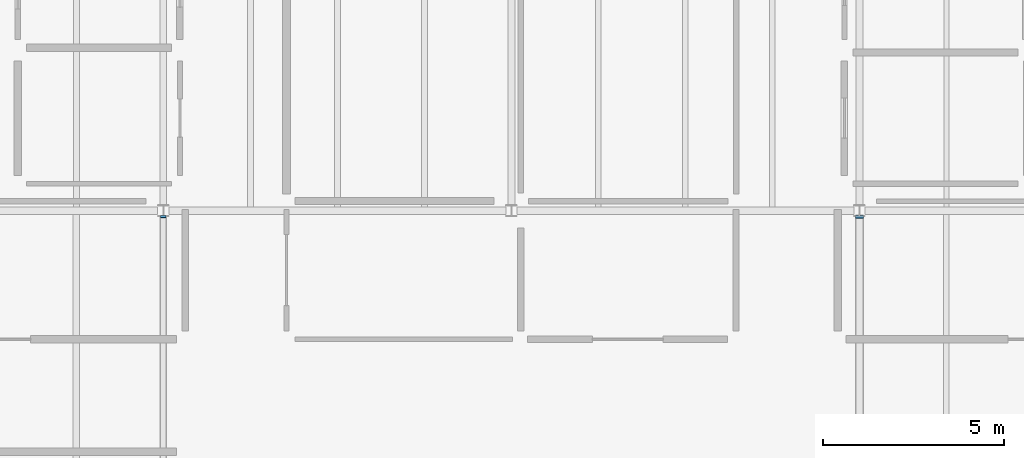
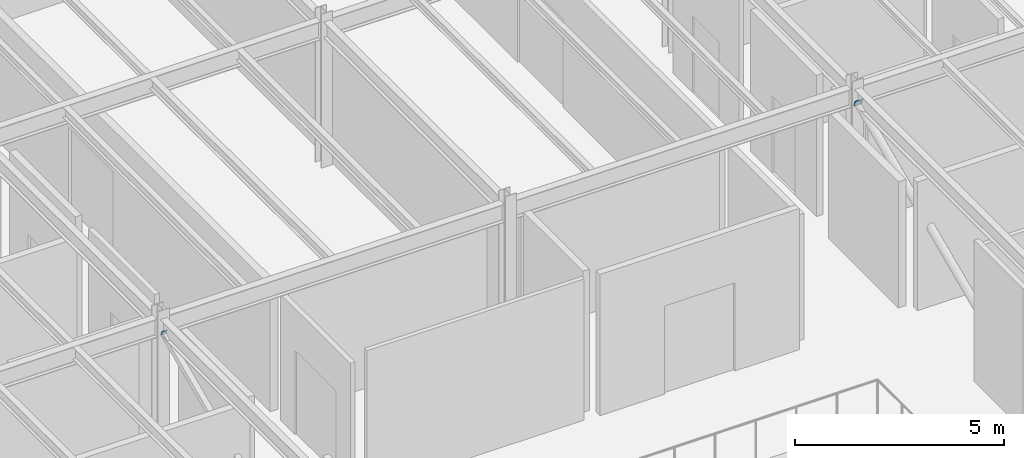
# One storey, part 47 of 69: 2 plates.
"""IFC4 building model written with IfcOpenShell, lengths in metres."""

from ifc_helpers import new_model, si_unit, direction, frame, origin, origin_2d, place, context, subcontext, project, spatial, rectangle, extrude, material, layer, layer_set, type_object, element, save


model = new_model("IFC4")

# Units and contexts
model_context = context("Model", 3, precision=1e-05, world=origin(), true_north=direction((0.0, 1.0)))
body_context = subcontext(model_context, "Body", "Model", "MODEL_VIEW")
ifc_project = project(units=[si_unit("LENGTHUNIT", "METRE"), si_unit("AREAUNIT", "SQUARE_METRE"), si_unit("VOLUMEUNIT", "CUBIC_METRE"), si_unit("PLANEANGLEUNIT", "RADIAN"), si_unit("MASSUNIT", "GRAM", prefix="KILO")], contexts=[model_context])

# Site, building, storey
site_placement = place(None, origin())
site = spatial("IfcSite", under=ifc_project, at=site_placement, CompositionType="ELEMENT")
building_placement = place(site_placement, origin())
building = spatial("IfcBuilding", under=site, at=building_placement, Name="Sarnbrook Museum", CompositionType="ELEMENT")
storey_placement = place(building_placement, frame((0.0, 0.0, 14.60009765625)))
storey = spatial("IfcBuildingStorey", under=building, at=storey_placement, Name="L03", CompositionType="ELEMENT", Elevation=14.60009765625)

# Plates
ifc_material = material(Name="Structural Steel Grade 350L0 (AS/NZS 3678, fy = 340 MPa for 20 < t <= 40 mm)", Category="steel")
ifc_layer_1 = layer(ifc_material, 0.01611328125)
ifc_layer_set_1 = layer_set([ifc_layer_1], Name="Structural Steel Grade 350L0 (AS/NZS 3678, fy = 340 MPa for 20 < t <= 40 mm)")
plate_type_1 = type_object("IfcPlateType", Name="EndCapPlate_CAP150", PredefinedType="USERDEFINED", material=ifc_layer_set_1)
plate_1_placement = place(storey_placement, frame((90.39990234375, 83.02001953125, 3.849853515625), z_axis=(0.0, 0.914658650878, 0.404227104946), x_axis=(-1.0, 0.0, 0.0)))
element("IfcPlate", 1, at=plate_1_placement, inside=storey, type_object=plate_type_1, Name="Hollow End Cap Plate CBF:3:L03-2", ObjectType="END CAP PLATE", PredefinedType="USERDEFINED", context=body_context, shape_type="SweptSolid", body=[
    extrude(rectangle(XDim=0.14990234375, YDim=0.14990234375, at=origin_2d()), origin(), (0.0, 0.0, 1.0), 0.01611328125),
])
ifc_layer_2 = layer(ifc_material, 0.01611328125)
ifc_layer_set_2 = layer_set([ifc_layer_2], Name="Structural Steel Grade 350L0 (AS/NZS 3678, fy = 340 MPa for 20 < t <= 40 mm)")
plate_type_2 = type_object("IfcPlateType", Name="EndCapPlate_CAP219", PredefinedType="USERDEFINED", material=ifc_layer_set_2)
plate_2_placement = place(storey_placement, frame((109.60009765625, 83.02001953125, 3.849853515625), z_axis=(0.0, 0.914658650878, 0.404227104946), x_axis=(-1.0, 0.0, 0.0)))
element("IfcPlate", 2, at=plate_2_placement, inside=storey, type_object=plate_type_2, Name="Hollow End Cap Plate CBF:4:L03-2", ObjectType="END CAP PLATE", PredefinedType="USERDEFINED", context=body_context, shape_type="SweptSolid", body=[
    extrude(rectangle(XDim=0.22509765625, YDim=0.22509765625, at=origin_2d()), origin(), (0.0, 0.0, 1.0), 0.01611328125),
])

save(model, "model.ifc")
